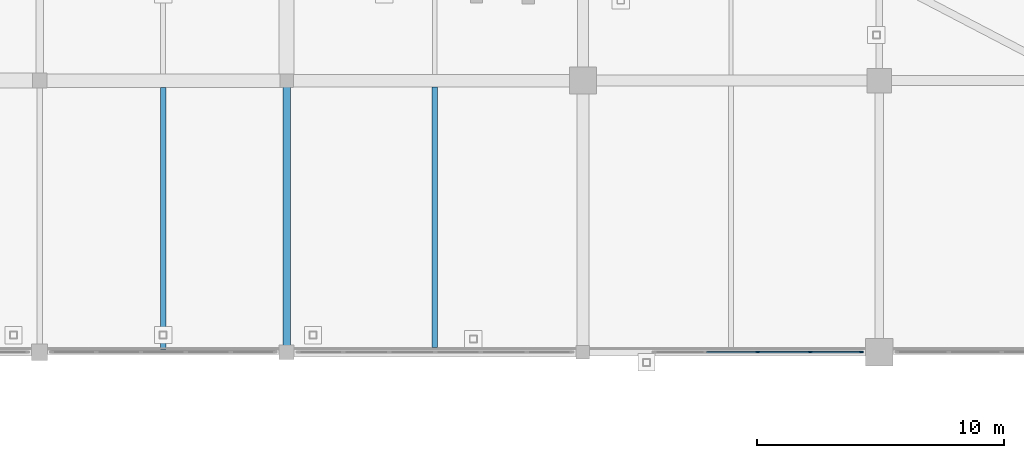
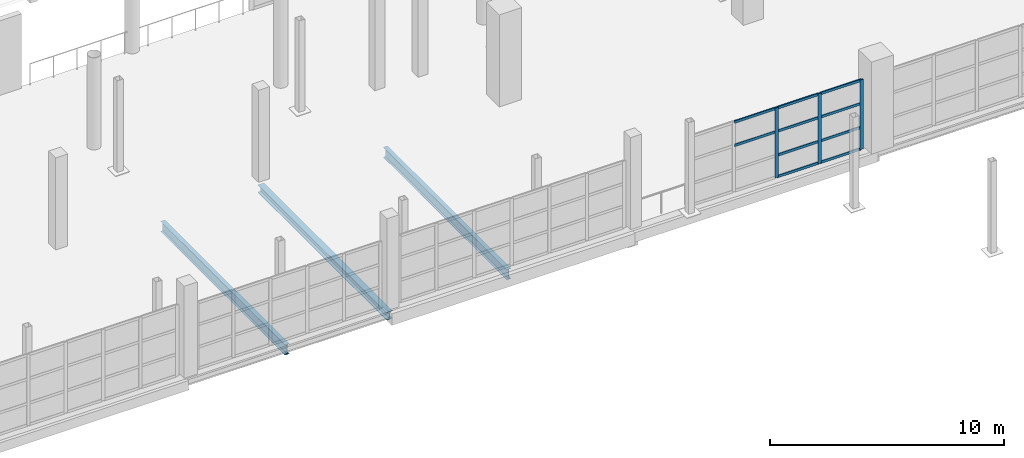
# One storey, part 50 of 143: 13 members, 3 beams, 1 element without a shape of its own.
"""IFC4 building model written with IfcOpenShell, lengths in metres."""

from ifc_helpers import new_model, si_unit, direction, frame, origin, origin_2d, place, context, subcontext, project, spatial, rectangle, i_section, extrude, material, material_profile, profile_set, type_object, element, aggregate, save


model = new_model("IFC4")

# Units and contexts
model_context = context("Model", 3, precision=1e-05, world=origin(), true_north=direction((0.0, 1.0)))
body_context = subcontext(model_context, "Body", "Model", "MODEL_VIEW")
ifc_project = project(units=[si_unit("LENGTHUNIT", "METRE"), si_unit("AREAUNIT", "SQUARE_METRE"), si_unit("VOLUMEUNIT", "CUBIC_METRE"), si_unit("PLANEANGLEUNIT", "RADIAN"), si_unit("MASSUNIT", "GRAM", prefix="KILO")], contexts=[model_context])

# Site, building, storey
site_placement = place(None, origin())
site = spatial("IfcSite", under=ifc_project, at=site_placement, CompositionType="ELEMENT")
building_placement = place(site_placement, origin())
building = spatial("IfcBuilding", under=site, at=building_placement, Name="Luwafu Chhajja Arena", CompositionType="ELEMENT")
storey_placement = place(building_placement, frame((0.0, 0.0, 5.39990234375)))
storey = spatial("IfcBuildingStorey", under=building, at=storey_placement, Name="L01", CompositionType="ELEMENT", Elevation=5.39990234375)

# Curtain wall, members
ifc_material_1 = material(Name="Anodised bronze aluminium", Category="aluminium")
curtain_wall_type = type_object("IfcCurtainWallType", Name="Bowl Concourse Chord Curtain Wall", PredefinedType="USERDEFINED", material=ifc_material_1)
curtain_wall_placement = place(storey_placement, origin())
curtain_wall = element("IfcCurtainWall", 1, at=curtain_wall_placement, inside=storey, type_object=curtain_wall_type, Name="L01 Bowl Viewing Curtain Wall CWR-L01-13", ObjectType="CURTAIN WALL", PredefinedType="USERDEFINED")
ifc_material_profile_1 = material_profile(ifc_material_1, rectangle(XDim=0.06005859375, YDim=0.159912109375, at=origin_2d()), Name="CWM 60x160")
ifc_profile_set_1 = profile_set([ifc_material_profile_1], Name="Anodised bronze aluminium")
member_type_1 = type_object("IfcMemberType", Name="Bronze Curtain Wall Mullion 60x160", PredefinedType="MULLION", material=ifc_profile_set_1)
member_1_placement = place(storey_placement, frame((123.08837890625, 77.0, 0.0), z_axis=(0.0, 0.0, 1.0), x_axis=(0.0, 1.0, 0.0)))
member_1 = element("IfcMember", 2, at=member_1_placement, type_object=member_type_1, Name="CW-01 mullion 3", PredefinedType="MULLION", context=body_context, shape_type="SweptSolid", body=[
    extrude(rectangle(XDim=0.06005859375, YDim=0.159912109375, at=origin_2d()), origin(), (0.0, 0.0, 1.0), 3.64013671875),
])
member_2_placement = place(storey_placement, frame((125.19921875, 77.0, 0.0), z_axis=(0.0, 0.0, 1.0), x_axis=(0.0, 1.0, 0.0)))
member_2 = element("IfcMember", 3, at=member_2_placement, type_object=member_type_1, Name="CW-01 mullion 4", PredefinedType="MULLION", context=body_context, shape_type="SweptSolid", body=[
    extrude(rectangle(XDim=0.06005859375, YDim=0.159912109375, at=origin_2d()), origin(), (0.0, 0.0, 1.0), 3.64013671875),
])
member_3_placement = place(storey_placement, frame((127.280029296875, 77.0, 0.0), z_axis=(0.0, 0.0, 1.0), x_axis=(0.0, 1.0, 0.0)))
member_3 = element("IfcMember", 4, at=member_3_placement, type_object=member_type_1, Name="CW-01 mullion 5", PredefinedType="MULLION", context=body_context, shape_type="SweptSolid", body=[
    extrude(rectangle(XDim=0.06005859375, YDim=0.159912109375, at=origin_2d()), origin(), (0.0, 0.0, 1.0), 3.64013671875),
])
ifc_material_profile_2 = material_profile(ifc_material_1, rectangle(XDim=0.06005859375, YDim=0.1298828125, at=origin_2d()), Name="CWT 60x130")
ifc_profile_set_2 = profile_set([ifc_material_profile_2], Name="Anodised bronze aluminium")
member_type_2 = type_object("IfcMemberType", Name="Bronze Curtain Wall Transom 60x130", PredefinedType="USERDEFINED", material=ifc_profile_set_2)
member_4_placement = place(storey_placement, frame((121.007568359375, 77.0, 2.39501953125), z_axis=(1.0, 0.0, 0.0), x_axis=(0.0, 1.0, 0.0)))
member_4 = element("IfcMember", 5, at=member_4_placement, type_object=member_type_2, Name="CW-01 transom 2.3", ObjectType="TRANSOM", PredefinedType="USERDEFINED", context=body_context, shape_type="SweptSolid", body=[
    extrude(rectangle(XDim=0.06005859375, YDim=0.1298828125, at=origin_2d()), origin(), (0.0, 0.0, 1.0), 2.05078125),
])
member_5_placement = place(storey_placement, frame((121.007568359375, 77.0, 3.610107421875), z_axis=(1.0, 0.0, 0.0), x_axis=(0.0, 1.0, 0.0)))
member_5 = element("IfcMember", 6, at=member_5_placement, type_object=member_type_2, Name="CW-01 transom 2.4", ObjectType="TRANSOM", PredefinedType="USERDEFINED", context=body_context, shape_type="SweptSolid", body=[
    extrude(rectangle(XDim=0.06005859375, YDim=0.1298828125, at=origin_2d()), origin(), (0.0, 0.0, 1.0), 2.05078125),
])
member_6_placement = place(storey_placement, frame((123.118408203125, 77.0, 0.030029296875), z_axis=(1.0, 0.0, 0.0), x_axis=(0.0, 1.0, 0.0)))
member_6 = element("IfcMember", 7, at=member_6_placement, type_object=member_type_2, Name="CW-01 transom 3.1", ObjectType="TRANSOM", PredefinedType="USERDEFINED", context=body_context, shape_type="SweptSolid", body=[
    extrude(rectangle(XDim=0.06005859375, YDim=0.1298828125, at=origin_2d()), origin(), (0.0, 0.0, 1.0), 2.05078125),
])
member_7_placement = place(storey_placement, frame((123.118408203125, 77.0, 1.150146484375), z_axis=(1.0, 0.0, 0.0), x_axis=(0.0, 1.0, 0.0)))
member_7 = element("IfcMember", 8, at=member_7_placement, type_object=member_type_2, Name="CW-01 transom 3.2", ObjectType="TRANSOM", PredefinedType="USERDEFINED", context=body_context, shape_type="SweptSolid", body=[
    extrude(rectangle(XDim=0.06005859375, YDim=0.1298828125, at=origin_2d()), origin(), (0.0, 0.0, 1.0), 2.05078125),
])
member_8_placement = place(storey_placement, frame((123.118408203125, 77.0, 2.39501953125), z_axis=(1.0, 0.0, 0.0), x_axis=(0.0, 1.0, 0.0)))
member_8 = element("IfcMember", 9, at=member_8_placement, type_object=member_type_2, Name="CW-01 transom 3.3", ObjectType="TRANSOM", PredefinedType="USERDEFINED", context=body_context, shape_type="SweptSolid", body=[
    extrude(rectangle(XDim=0.06005859375, YDim=0.1298828125, at=origin_2d()), origin(), (0.0, 0.0, 1.0), 2.05078125),
])
member_9_placement = place(storey_placement, frame((123.118408203125, 77.0, 3.610107421875), z_axis=(1.0, 0.0, 0.0), x_axis=(0.0, 1.0, 0.0)))
member_9 = element("IfcMember", 10, at=member_9_placement, type_object=member_type_2, Name="CW-01 transom 3.4", ObjectType="TRANSOM", PredefinedType="USERDEFINED", context=body_context, shape_type="SweptSolid", body=[
    extrude(rectangle(XDim=0.06005859375, YDim=0.1298828125, at=origin_2d()), origin(), (0.0, 0.0, 1.0), 2.05078125),
])
member_10_placement = place(storey_placement, frame((125.229248046875, 77.0, 0.030029296875), z_axis=(1.0, 0.0, 0.0), x_axis=(0.0, 1.0, 0.0)))
member_10 = element("IfcMember", 11, at=member_10_placement, type_object=member_type_2, Name="CW-01 transom 4.1", ObjectType="TRANSOM", PredefinedType="USERDEFINED", context=body_context, shape_type="SweptSolid", body=[
    extrude(rectangle(XDim=0.06005859375, YDim=0.1298828125, at=origin_2d()), origin(), (0.0, 0.0, 1.0), 2.020751953125),
])
member_11_placement = place(storey_placement, frame((125.229248046875, 77.0, 1.150146484375), z_axis=(1.0, 0.0, 0.0), x_axis=(0.0, 1.0, 0.0)))
member_11 = element("IfcMember", 12, at=member_11_placement, type_object=member_type_2, Name="CW-01 transom 4.2", ObjectType="TRANSOM", PredefinedType="USERDEFINED", context=body_context, shape_type="SweptSolid", body=[
    extrude(rectangle(XDim=0.06005859375, YDim=0.1298828125, at=origin_2d()), origin(), (0.0, 0.0, 1.0), 2.020751953125),
])
member_12_placement = place(storey_placement, frame((125.229248046875, 77.0, 2.39501953125), z_axis=(1.0, 0.0, 0.0), x_axis=(0.0, 1.0, 0.0)))
member_12 = element("IfcMember", 13, at=member_12_placement, type_object=member_type_2, Name="CW-01 transom 4.3", ObjectType="TRANSOM", PredefinedType="USERDEFINED", context=body_context, shape_type="SweptSolid", body=[
    extrude(rectangle(XDim=0.06005859375, YDim=0.1298828125, at=origin_2d()), origin(), (0.0, 0.0, 1.0), 2.020751953125),
])
member_13_placement = place(storey_placement, frame((125.229248046875, 77.0, 3.610107421875), z_axis=(1.0, 0.0, 0.0), x_axis=(0.0, 1.0, 0.0)))
member_13 = element("IfcMember", 14, at=member_13_placement, type_object=member_type_2, Name="CW-01 transom 4.4", ObjectType="TRANSOM", PredefinedType="USERDEFINED", context=body_context, shape_type="SweptSolid", body=[
    extrude(rectangle(XDim=0.06005859375, YDim=0.1298828125, at=origin_2d()), origin(), (0.0, 0.0, 1.0), 2.020751953125),
])
aggregate(curtain_wall, [member_1, member_2, member_3, member_4, member_5, member_6, member_7, member_8, member_9, member_10, member_11, member_12, member_13])

# Beams
ifc_material_2 = material(Name="Steel S355", Category="steel")
ifc_material_profile_3 = material_profile(ifc_material_2, i_section(OverallWidth=0.2099609375, OverallDepth=0.53662109375, WebThickness=0.0107421875, FlangeThickness=0.017333984375, at=origin_2d()), Name="UB 533x210x101")
ifc_profile_set_3 = profile_set([ifc_material_profile_3], Name="Steel S355")
beam_type_1 = type_object("IfcBeamType", Name="Floor Joist UB 533x210x101", PredefinedType="JOIST", material=ifc_profile_set_3)
beam_1_placement = place(storey_placement, frame((99.0, 77.082763671875, -0.59814453125), z_axis=(0.0, 1.0, 0.0), x_axis=(-1.0, 0.0, 0.0)))
element("IfcBeam", 15, at=beam_1_placement, inside=storey, type_object=beam_type_1, Name="L01 Secondary Joist 9-10/H", PredefinedType="JOIST", context=body_context, shape_type="SweptSolid", body=[
    extrude(i_section(OverallWidth=0.2099609375, OverallDepth=0.53662109375, WebThickness=0.0107421875, FlangeThickness=0.017333984375, at=origin_2d()), origin(), (0.0, 0.0, 1.0), 10.642333984375),
])
ifc_material_profile_4 = material_profile(ifc_material_2, i_section(OverallWidth=0.209228515625, OverallDepth=0.533203125, WebThickness=0.010009765625, FlangeThickness=0.015625, at=origin_2d()), Name="UB 533x210x92")
ifc_profile_set_4 = profile_set([ifc_material_profile_4], Name="Steel S355")
beam_type_2 = type_object("IfcBeamType", Name="Floor Joist UB 533x210x92", PredefinedType="JOIST", material=ifc_profile_set_4)
beam_2_placement = place(storey_placement, frame((110.0, 77.199951171875, -0.596435546875), z_axis=(0.0, 1.0, 0.0), x_axis=(-1.0, 0.0, 0.0)))
element("IfcBeam", 16, at=beam_2_placement, inside=storey, type_object=beam_type_2, Name="L01 Secondary Joist 10-11/H", PredefinedType="JOIST", context=body_context, shape_type="SweptSolid", body=[
    extrude(i_section(OverallWidth=0.209228515625, OverallDepth=0.533203125, WebThickness=0.010009765625, FlangeThickness=0.015625, at=origin_2d()), origin(), (0.0, 0.0, 1.0), 10.550048828125),
])
ifc_material_profile_5 = material_profile(ifc_material_2, i_section(OverallWidth=0.300048828125, OverallDepth=0.39990234375, WebThickness=0.013427734375, FlangeThickness=0.02392578125, at=origin_2d()), Name="HEB 400")
ifc_profile_set_5 = profile_set([ifc_material_profile_5], Name="Steel S355")
beam_type_3 = type_object("IfcBeamType", Name="Steel Rigging Grid Beam HEB 400", PredefinedType="BEAM", material=ifc_profile_set_5)
beam_3_placement = place(storey_placement, frame((104.0, 77.0, -0.52978515625), z_axis=(0.0, 1.0, 0.0), x_axis=(-1.0, 0.0, 0.0)))
element("IfcBeam", 17, at=beam_3_placement, inside=storey, type_object=beam_type_3, Name="L01 Grid Beam 10/H-J", PredefinedType="BEAM", context=body_context, shape_type="SweptSolid", body=[
    extrude(i_section(OverallWidth=0.300048828125, OverallDepth=0.39990234375, WebThickness=0.013427734375, FlangeThickness=0.02392578125, at=origin_2d()), origin(), (0.0, 0.0, 1.0), 11.0),
])

save(model, "model.ifc")
